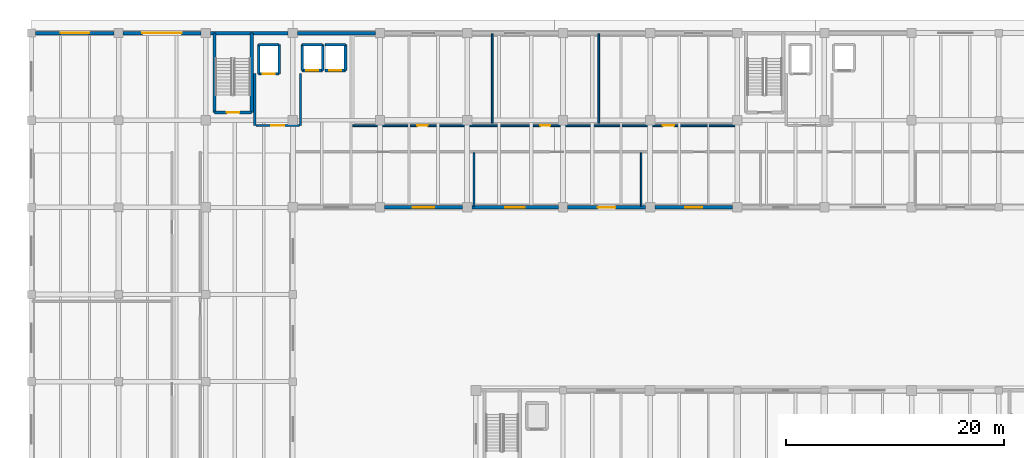
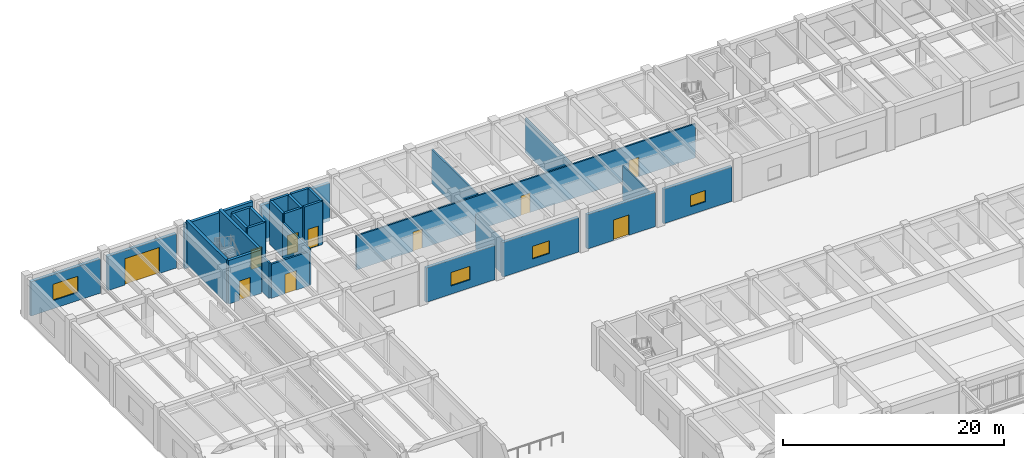
# One storey, part 39 of 64: 30 walls, 10 doors, 4 windows, 14 openings.
"""IFC4 building model written with IfcOpenShell, lengths in metres."""

from ifc_helpers import new_model, si_unit, direction, frame, frame_2d, origin, place, context, subcontext, project, spatial, rectangle, extrude, material, layer, layer_set, type_object, element, fill, save


model = new_model("IFC4")

# Units and contexts
model_context = context("Model", 3, precision=1e-05, world=origin(), true_north=direction((0.0, 1.0)))
body_context = subcontext(model_context, "Body", "Model", "MODEL_VIEW")
ifc_project = project(units=[si_unit("LENGTHUNIT", "METRE"), si_unit("AREAUNIT", "SQUARE_METRE"), si_unit("VOLUMEUNIT", "CUBIC_METRE"), si_unit("PLANEANGLEUNIT", "RADIAN"), si_unit("MASSUNIT", "GRAM", prefix="KILO")], contexts=[model_context])

# Site, building, storey
site_placement = place(None, origin())
site = spatial("IfcSite", under=ifc_project, at=site_placement, CompositionType="ELEMENT")
building_placement = place(site_placement, origin())
building = spatial("IfcBuilding", under=site, at=building_placement, Name="Tlaxcora Railside Police Headquarters", CompositionType="ELEMENT")
storey_placement = place(building_placement, origin())
storey = spatial("IfcBuildingStorey", under=building, at=storey_placement, Name="L00", CompositionType="ELEMENT", Elevation=0.0)

# Wall, opening, door
ifc_material_1 = material(Name="Pressed clay brick masonry", Category="masonry")
ifc_layer_1 = layer(ifc_material_1, 0.199951171875, Name="Pressed clay brick masonry")
ifc_layer_set_1 = layer_set([ifc_layer_1], Name="Pressed clay brick masonry")
wall_type_1 = type_object("IfcWallType", Name="Interior Partition Wall IW-60", PredefinedType="PARTITIONING", material=ifc_layer_set_1)
wall_1_placement = place(storey_placement, frame((25.800048828125, 84.300048828125, 0.0), z_axis=(0.0, 0.0, 1.0), x_axis=(1.0, 0.0, 0.0)))
wall_1 = element("IfcWall", 1, at=wall_1_placement, inside=storey, type_object=wall_type_1, Name="V5 L00 interior partition 21", PredefinedType="PARTITIONING", context=body_context, shape_type="SweptSolid", body=[
    extrude(rectangle(XDim=4.0, YDim=0.199951171875, at=frame_2d((2.0, 0.0))), origin(), (0.0, 0.0, 1.0), 3.764892578125),
])
opening_1_placement = place(wall_1_placement, frame((1.39990234375, 0.0, 0.0)))
opening_1 = element("IfcOpeningElement", 2, at=opening_1_placement, cuts=wall_1, Name="Opening D-L00-077", PredefinedType="OPENING", context=body_context, shape_type="SweptSolid", body=[
    extrude(rectangle(XDim=1.199951171875, YDim=2.14990234375, at=frame_2d((0.60009765625, 1.074951171875))), frame((0.0, 0.10986328125, 0.0), z_axis=(0.0, -1.0, 0.0), x_axis=(1.0, 0.0, 0.0)), (0.0, 0.0, 1.0), 0.219970703125),
])
ifc_material_2 = material(Name="Steel ASTM A992 Grade 50", Category="steel")
door_type_1 = type_object("IfcDoorType", Name="Swing or Sliding Personnel Door ID-14", OperationType="NOTDEFINED", PredefinedType="DOOR", material=ifc_material_2)
door_1_placement = place(opening_1_placement, origin())
door_1 = element("IfcDoor", 3, at=door_1_placement, inside=storey, type_object=door_type_1, Name="V5 L00 door D-L00-077", OperationType="DOUBLE_DOOR_SINGLE_SWING", OverallHeight=2.14990234375, OverallWidth=1.199951171875, PredefinedType="DOOR", context=body_context, shape_type="SweptSolid", body=[
    extrude(rectangle(XDim=1.199951171875, YDim=2.14990234375, at=frame_2d((0.60009765625, 1.074951171875))), frame((0.0, 0.02490234375, 0.0), z_axis=(0.0, -1.0, 0.0), x_axis=(1.0, 0.0, 0.0)), (0.0, 0.0, 1.0), 0.050048828125),
])
fill(opening_1, door_1)

# Walls
wall_2_placement = place(storey_placement, frame((25.699951171875, 84.300048828125, 0.0), z_axis=(0.0, 0.0, 1.0), x_axis=(0.0, 1.0, 0.0)))
element("IfcWall", 4, at=wall_2_placement, inside=storey, type_object=wall_type_1, Name="V5 L00 interior partition 22", PredefinedType="PARTITIONING", context=body_context, shape_type="SweptSolid", body=[
    extrude(rectangle(XDim=4.800048828125, YDim=0.199951171875, at=frame_2d((2.39990234375, 0.0))), origin(), (0.0, 0.0, 1.0), 3.9150390625),
])
wall_3_placement = place(storey_placement, frame((29.89990234375, 84.300048828125, 0.0), z_axis=(0.0, 0.0, 1.0), x_axis=(0.0, 1.0, 0.0)))
element("IfcWall", 5, at=wall_3_placement, inside=storey, type_object=wall_type_1, Name="V5 L00 interior partition 23", PredefinedType="PARTITIONING", context=body_context, shape_type="SweptSolid", body=[
    extrude(rectangle(XDim=4.800048828125, YDim=0.199951171875, at=frame_2d((2.39990234375, 0.0))), origin(), (0.0, 0.0, 1.0), 3.965087890625),
])
ifc_material_3 = material(Name="Gypsum acoustic partition board")
ifc_layer_2 = layer(ifc_material_3, 0.159912109375, Name="Gypsum acoustic partition board")
ifc_layer_set_2 = layer_set([ifc_layer_2], Name="Gypsum acoustic partition board")
wall_type_2 = type_object("IfcWallType", Name="Interior Partition Wall IW-73", PredefinedType="PARTITIONING", material=ifc_layer_set_2)
for number, where, z_axis, x_axis, name in (
    (6, (47.510986328125, 84.5, 0.0), (0.0, 0.0, 1.0), (0.0, 1.0, 0.0), "V5 L00 interior partition 62"),
    (7, (57.2890625, 84.5, 0.0), (0.0, 0.0, 1.0), (0.0, 1.0, 0.0), "V5 L00 interior partition 63"),
):
    element("IfcWall", number, at=place(storey_placement, frame(where, z_axis=z_axis, x_axis=x_axis)), inside=storey, type_object=wall_type_2, Name=name, PredefinedType="PARTITIONING", context=body_context, shape_type="SweptSolid", body=[
        extrude(rectangle(XDim=8.219970703125, YDim=0.159912109375, at=frame_2d((4.10986328125, 0.0))), origin(), (0.0, 0.0, 1.0), 3.764892578125),
    ])

# Wall, openings, doors
wall_4_placement = place(storey_placement, frame((34.699951171875, 84.300048828125, 0.0), z_axis=(0.0, 0.0, 1.0), x_axis=(1.0, 0.0, 0.0)))
wall_4 = element("IfcWall", 8, at=wall_4_placement, inside=storey, type_object=wall_type_2, Name="V5 L00 interior partition 64", PredefinedType="PARTITIONING", context=body_context, shape_type="SweptSolid", body=[
    extrude(rectangle(XDim=35.400146484375, YDim=0.159912109375, at=frame_2d((17.7001953125, 0.0))), origin(), (0.0, 0.0, 1.0), 3.764892578125),
])
opening_2_placement = place(wall_4_placement, frame((5.919921875, 0.0, 0.0)))
opening_2 = element("IfcOpeningElement", 9, at=opening_2_placement, cuts=wall_4, Name="Opening D-L00-112", PredefinedType="OPENING", context=body_context, shape_type="SweptSolid", body=[
    extrude(rectangle(XDim=0.97998046875, YDim=2.1201171875, at=frame_2d((0.489990234375, 1.06005859375))), frame((0.0, 0.08984375, 0.0), z_axis=(0.0, -1.0, 0.0), x_axis=(1.0, 0.0, 0.0)), (0.0, 0.0, 1.0), 0.179931640625),
])
opening_3_placement = place(wall_4_placement, frame((17.199951171875, 0.0, 0.0)))
opening_3 = element("IfcOpeningElement", 10, at=opening_3_placement, cuts=wall_4, Name="Opening D-L00-113", PredefinedType="OPENING", context=body_context, shape_type="SweptSolid", body=[
    extrude(rectangle(XDim=0.949951171875, YDim=2.14990234375, at=frame_2d((0.47509765625, 1.074951171875))), frame((0.0, 0.08984375, 0.0), z_axis=(0.0, -1.0, 0.0), x_axis=(1.0, 0.0, 0.0)), (0.0, 0.0, 1.0), 0.179931640625),
])
opening_4_placement = place(wall_4_placement, frame((28.47998046875, 0.0, 0.0)))
opening_4 = element("IfcOpeningElement", 11, at=opening_4_placement, cuts=wall_4, Name="Opening D-L00-114", PredefinedType="OPENING", context=body_context, shape_type="SweptSolid", body=[
    extrude(rectangle(XDim=1.02001953125, YDim=2.1201171875, at=frame_2d((0.510009765625, 1.06005859375))), frame((0.0, 0.08984375, 0.0), z_axis=(0.0, -1.0, 0.0), x_axis=(1.0, 0.0, 0.0)), (0.0, 0.0, 1.0), 0.179931640625),
])
door_type_2 = type_object("IfcDoorType", Name="Swing or Sliding Personnel Door ID-31", OperationType="NOTDEFINED", PredefinedType="DOOR", material=ifc_material_2)
door_2_placement = place(opening_3_placement, origin())
door_2 = element("IfcDoor", 12, at=door_2_placement, inside=storey, type_object=door_type_2, Name="V5 L00 door D-L00-113", OperationType="SINGLE_SWING_RIGHT", OverallHeight=2.14990234375, OverallWidth=0.949951171875, PredefinedType="DOOR", context=body_context, shape_type="SweptSolid", body=[
    extrude(rectangle(XDim=0.949951171875, YDim=2.14990234375, at=frame_2d((0.47509765625, 1.074951171875))), frame((0.0, 0.02490234375, 0.0), z_axis=(0.0, -1.0, 0.0), x_axis=(1.0, 0.0, 0.0)), (0.0, 0.0, 1.0), 0.050048828125),
])
fill(opening_3, door_2)
door_type_3 = type_object("IfcDoorType", Name="Swing or Sliding Personnel Door ID-48", OperationType="NOTDEFINED", PredefinedType="DOOR", material=ifc_material_2)
door_3_placement = place(opening_4_placement, origin())
door_3 = element("IfcDoor", 13, at=door_3_placement, inside=storey, type_object=door_type_3, Name="V5 L00 door D-L00-114", OperationType="SINGLE_SWING_LEFT", OverallHeight=2.1201171875, OverallWidth=1.02001953125, PredefinedType="DOOR", context=body_context, shape_type="SweptSolid", body=[
    extrude(rectangle(XDim=1.02001953125, YDim=2.1201171875, at=frame_2d((0.510009765625, 1.06005859375))), frame((0.0, 0.02490234375, 0.0), z_axis=(0.0, -1.0, 0.0), x_axis=(1.0, 0.0, 0.0)), (0.0, 0.0, 1.0), 0.050048828125),
])
fill(opening_4, door_3)
door_type_4 = type_object("IfcDoorType", Name="Swing or Sliding Personnel Door ID-74", OperationType="NOTDEFINED", PredefinedType="DOOR", material=ifc_material_2)
door_4_placement = place(opening_2_placement, origin())
door_4 = element("IfcDoor", 14, at=door_4_placement, inside=storey, type_object=door_type_4, Name="V5 L00 door D-L00-112", OperationType="SINGLE_SWING_LEFT", OverallHeight=2.1201171875, OverallWidth=0.97998046875, PredefinedType="DOOR", context=body_context, shape_type="SweptSolid", body=[
    extrude(rectangle(XDim=0.97998046875, YDim=2.1201171875, at=frame_2d((0.489990234375, 1.06005859375))), frame((0.0, 0.02490234375, 0.0), z_axis=(0.0, -1.0, 0.0), x_axis=(1.0, 0.0, 0.0)), (0.0, 0.0, 1.0), 0.050048828125),
])
fill(opening_2, door_4)

# Walls
ifc_layer_3 = layer(ifc_material_3, 0.139892578125, Name="Gypsum acoustic partition board")
ifc_layer_set_3 = layer_set([ifc_layer_3], Name="Gypsum acoustic partition board")
wall_type_3 = type_object("IfcWallType", Name="Interior Partition Wall IW-86", PredefinedType="PARTITIONING", material=ifc_layer_set_3)
wall_5_placement = place(storey_placement, frame((61.16796875, 76.8798828125, 0.0), z_axis=(0.0, 0.0, 1.0), x_axis=(0.0, 1.0, 0.0)))
element("IfcWall", 15, at=wall_5_placement, inside=storey, type_object=wall_type_3, Name="V5 L00 interior partition 58", PredefinedType="PARTITIONING", context=body_context, shape_type="SweptSolid", body=[
    extrude(rectangle(XDim=4.920166015625, YDim=0.139892578125, at=frame_2d((2.4599609375, 0.0))), origin(), (0.0, 0.0, 1.0), 3.764892578125),
])
ifc_layer_4 = layer(ifc_material_3, 0.14990234375, Name="Gypsum acoustic partition board")
ifc_layer_set_4 = layer_set([ifc_layer_4], Name="Gypsum acoustic partition board")
wall_type_4 = type_object("IfcWallType", Name="Interior Partition Wall IW-91", PredefinedType="PARTITIONING", material=ifc_layer_set_4)
wall_6_placement = place(storey_placement, frame((45.83203125, 76.8798828125, 0.0), z_axis=(0.0, 0.0, 1.0), x_axis=(0.0, 1.0, 0.0)))
element("IfcWall", 16, at=wall_6_placement, inside=storey, type_object=wall_type_4, Name="V5 L00 interior partition 57", PredefinedType="PARTITIONING", context=body_context, shape_type="SweptSolid", body=[
    extrude(rectangle(XDim=4.920166015625, YDim=0.14990234375, at=frame_2d((2.4599609375, 0.0))), origin(), (0.0, 0.0, 1.0), 3.764892578125),
])

# Wall, opening, door
ifc_material_4 = material(Name="Concrete C40/50", Category="concrete")
ifc_layer_5 = layer(ifc_material_4, 0.25, Name="Concrete C40/50")
ifc_layer_set_5 = layer_set([ifc_layer_5], Name="Concrete C40/50")
wall_type_5 = type_object("IfcWallType", Name="Shear Core Wall IW-13", PredefinedType="SHEAR", material=ifc_layer_set_5)
wall_7_placement = place(storey_placement, frame((26.06005859375, 89.06005859375, 0.0), z_axis=(0.0, 0.0, 1.0), x_axis=(1.0, 0.0, 0.0)))
wall_7 = element("IfcWall", 17, at=wall_7_placement, inside=storey, type_object=wall_type_5, Name="Lift FFL-01 L00 shaft wall S", PredefinedType="SHEAR", context=body_context, shape_type="SweptSolid", body=[
    extrude(rectangle(XDim=1.8798828125, YDim=0.25, at=frame_2d((0.93994140625, 0.0))), origin(), (0.0, 0.0, 1.0), 4.800048828125),
])
opening_5_placement = place(wall_7_placement, frame((0.389892578125, 0.0, 0.0)))
opening_5 = element("IfcOpeningElement", 18, at=opening_5_placement, cuts=wall_7, Name="Opening LD-FFL-01-L00", PredefinedType="OPENING", context=body_context, shape_type="SweptSolid", body=[
    extrude(rectangle(XDim=1.10009765625, YDim=2.199951171875, at=frame_2d((0.550048828125, 1.10009765625))), frame((0.0, 0.135009765625, 0.0), z_axis=(0.0, -1.0, 0.0), x_axis=(1.0, 0.0, 0.0)), (0.0, 0.0, 1.0), 0.27001953125),
])
door_type_5 = type_object("IfcDoorType", Name="Swing or Sliding Personnel Door ID-15", OperationType="NOTDEFINED", PredefinedType="DOOR", material=ifc_material_2)
door_5_placement = place(opening_5_placement, origin())
door_5 = element("IfcDoor", 19, at=door_5_placement, inside=storey, type_object=door_type_5, Name="Lift FFL-01 L00 sliding landing door", OperationType="DOUBLE_DOOR_SLIDING", OverallHeight=2.199951171875, OverallWidth=1.10009765625, PredefinedType="DOOR", context=body_context, shape_type="SweptSolid", body=[
    extrude(rectangle(XDim=1.10009765625, YDim=2.199951171875, at=frame_2d((0.550048828125, 1.10009765625))), frame((0.0, 0.02490234375, 0.0), z_axis=(0.0, -1.0, 0.0), x_axis=(1.0, 0.0, 0.0)), (0.0, 0.0, 1.0), 0.050048828125),
])
fill(opening_5, door_5)

# Walls
wall_8_placement = place(storey_placement, frame((27.93994140625, 89.06005859375, 0.0), z_axis=(0.0, 0.0, 1.0), x_axis=(0.0, 1.0, 0.0)))
element("IfcWall", 20, at=wall_8_placement, inside=storey, type_object=wall_type_5, Name="Lift FFL-01 L00 shaft wall E", PredefinedType="SHEAR", context=body_context, shape_type="SweptSolid", body=[
    extrude(rectangle(XDim=2.679931640625, YDim=0.25, at=frame_2d((1.33984375, 0.0))), origin(), (0.0, 0.0, 1.0), 4.800048828125),
])
wall_9_placement = place(storey_placement, frame((27.93994140625, 91.739990234375, 0.0), z_axis=(0.0, 0.0, 1.0), x_axis=(-1.0, 0.0, 0.0)))
element("IfcWall", 21, at=wall_9_placement, inside=storey, type_object=wall_type_5, Name="Lift FFL-01 L00 shaft wall N", PredefinedType="SHEAR", context=body_context, shape_type="SweptSolid", body=[
    extrude(rectangle(XDim=1.8798828125, YDim=0.25, at=frame_2d((0.93994140625, 0.0))), origin(), (0.0, 0.0, 1.0), 4.800048828125),
])
wall_10_placement = place(storey_placement, frame((26.06005859375, 91.739990234375, 0.0), z_axis=(0.0, 0.0, 1.0), x_axis=(0.0, -1.0, 0.0)))
element("IfcWall", 22, at=wall_10_placement, inside=storey, type_object=wall_type_5, Name="Lift FFL-01 L00 shaft wall W", PredefinedType="SHEAR", context=body_context, shape_type="SweptSolid", body=[
    extrude(rectangle(XDim=2.679931640625, YDim=0.25, at=frame_2d((1.33984375, 0.0))), origin(), (0.0, 0.0, 1.0), 4.800048828125),
])

# Wall, opening, door
wall_11_placement = place(storey_placement, frame((30.06005859375, 89.360107421875, 0.0), z_axis=(0.0, 0.0, 1.0), x_axis=(1.0, 0.0, 0.0)))
wall_11 = element("IfcWall", 23, at=wall_11_placement, inside=storey, type_object=wall_type_5, Name="Lift PL-01 L00 shaft wall S", PredefinedType="SHEAR", context=body_context, shape_type="SweptSolid", body=[
    extrude(rectangle(XDim=1.8798828125, YDim=0.25, at=frame_2d((0.93994140625, 0.0))), origin(), (0.0, 0.0, 1.0), 4.800048828125),
])
opening_6_placement = place(wall_11_placement, frame((0.389892578125, 0.0, 0.0)))
opening_6 = element("IfcOpeningElement", 24, at=opening_6_placement, cuts=wall_11, Name="Opening LD-PL-01-L00", PredefinedType="OPENING", context=body_context, shape_type="SweptSolid", body=[
    extrude(rectangle(XDim=1.10009765625, YDim=2.199951171875, at=frame_2d((0.550048828125, 1.10009765625))), frame((0.0, 0.135009765625, 0.0), z_axis=(0.0, -1.0, 0.0), x_axis=(1.0, 0.0, 0.0)), (0.0, 0.0, 1.0), 0.27001953125),
])
door_6_placement = place(opening_6_placement, origin())
door_6 = element("IfcDoor", 25, at=door_6_placement, inside=storey, type_object=door_type_5, Name="Lift PL-01 L00 sliding landing door", OperationType="DOUBLE_DOOR_SLIDING", OverallHeight=2.199951171875, OverallWidth=1.10009765625, PredefinedType="DOOR", context=body_context, shape_type="SweptSolid", body=[
    extrude(rectangle(XDim=1.10009765625, YDim=2.199951171875, at=frame_2d((0.550048828125, 1.10009765625))), frame((0.0, 0.02490234375, 0.0), z_axis=(0.0, -1.0, 0.0), x_axis=(1.0, 0.0, 0.0)), (0.0, 0.0, 1.0), 0.050048828125),
])
fill(opening_6, door_6)

# Walls
wall_12_placement = place(storey_placement, frame((31.93994140625, 89.360107421875, 0.0), z_axis=(0.0, 0.0, 1.0), x_axis=(0.0, 1.0, 0.0)))
element("IfcWall", 26, at=wall_12_placement, inside=storey, type_object=wall_type_5, Name="Lift PL-01 L00 shaft wall E", PredefinedType="SHEAR", context=body_context, shape_type="SweptSolid", body=[
    extrude(rectangle(XDim=2.3798828125, YDim=0.25, at=frame_2d((1.18994140625, 0.0))), origin(), (0.0, 0.0, 1.0), 4.800048828125),
])
wall_13_placement = place(storey_placement, frame((31.93994140625, 91.739990234375, 0.0), z_axis=(0.0, 0.0, 1.0), x_axis=(-1.0, 0.0, 0.0)))
element("IfcWall", 27, at=wall_13_placement, inside=storey, type_object=wall_type_5, Name="Lift PL-01 L00 shaft wall N", PredefinedType="SHEAR", context=body_context, shape_type="SweptSolid", body=[
    extrude(rectangle(XDim=1.8798828125, YDim=0.25, at=frame_2d((0.93994140625, 0.0))), origin(), (0.0, 0.0, 1.0), 4.800048828125),
])
wall_14_placement = place(storey_placement, frame((30.06005859375, 91.739990234375, 0.0), z_axis=(0.0, 0.0, 1.0), x_axis=(0.0, -1.0, 0.0)))
element("IfcWall", 28, at=wall_14_placement, inside=storey, type_object=wall_type_5, Name="Lift PL-01 L00 shaft wall W", PredefinedType="SHEAR", context=body_context, shape_type="SweptSolid", body=[
    extrude(rectangle(XDim=2.3798828125, YDim=0.25, at=frame_2d((1.18994140625, 0.0))), origin(), (0.0, 0.0, 1.0), 4.800048828125),
])

# Wall, opening, door
wall_15_placement = place(storey_placement, frame((32.159912109375, 89.360107421875, 0.0), z_axis=(0.0, 0.0, 1.0), x_axis=(1.0, 0.0, 0.0)))
wall_15 = element("IfcWall", 29, at=wall_15_placement, inside=storey, type_object=wall_type_5, Name="Lift PL-02 L00 shaft wall S", PredefinedType="SHEAR", context=body_context, shape_type="SweptSolid", body=[
    extrude(rectangle(XDim=1.880126953125, YDim=0.25, at=frame_2d((0.93994140625, 0.0))), origin(), (0.0, 0.0, 1.0), 4.800048828125),
])
opening_7_placement = place(wall_15_placement, frame((0.389892578125, 0.0, 0.0)))
opening_7 = element("IfcOpeningElement", 30, at=opening_7_placement, cuts=wall_15, Name="Opening LD-PL-02-L00", PredefinedType="OPENING", context=body_context, shape_type="SweptSolid", body=[
    extrude(rectangle(XDim=1.10009765625, YDim=2.199951171875, at=frame_2d((0.550048828125, 1.10009765625))), frame((0.0, 0.135009765625, 0.0), z_axis=(0.0, -1.0, 0.0), x_axis=(1.0, 0.0, 0.0)), (0.0, 0.0, 1.0), 0.27001953125),
])
door_7_placement = place(opening_7_placement, origin())
door_7 = element("IfcDoor", 31, at=door_7_placement, inside=storey, type_object=door_type_5, Name="Lift PL-02 L00 sliding landing door", OperationType="DOUBLE_DOOR_SLIDING", OverallHeight=2.199951171875, OverallWidth=1.10009765625, PredefinedType="DOOR", context=body_context, shape_type="SweptSolid", body=[
    extrude(rectangle(XDim=1.10009765625, YDim=2.199951171875, at=frame_2d((0.550048828125, 1.10009765625))), frame((0.0, 0.02490234375, 0.0), z_axis=(0.0, -1.0, 0.0), x_axis=(1.0, 0.0, 0.0)), (0.0, 0.0, 1.0), 0.050048828125),
])
fill(opening_7, door_7)

# Walls
wall_16_placement = place(storey_placement, frame((34.0400390625, 89.360107421875, 0.0), z_axis=(0.0, 0.0, 1.0), x_axis=(0.0, 1.0, 0.0)))
element("IfcWall", 32, at=wall_16_placement, inside=storey, type_object=wall_type_5, Name="Lift PL-02 L00 shaft wall E", PredefinedType="SHEAR", context=body_context, shape_type="SweptSolid", body=[
    extrude(rectangle(XDim=2.3798828125, YDim=0.25, at=frame_2d((1.18994140625, 0.0))), origin(), (0.0, 0.0, 1.0), 4.800048828125),
])
wall_17_placement = place(storey_placement, frame((34.0400390625, 91.739990234375, 0.0), z_axis=(0.0, 0.0, 1.0), x_axis=(-1.0, 0.0, 0.0)))
element("IfcWall", 33, at=wall_17_placement, inside=storey, type_object=wall_type_5, Name="Lift PL-02 L00 shaft wall N", PredefinedType="SHEAR", context=body_context, shape_type="SweptSolid", body=[
    extrude(rectangle(XDim=1.880126953125, YDim=0.25, at=frame_2d((0.93994140625, 0.0))), origin(), (0.0, 0.0, 1.0), 4.800048828125),
])

# Wall, opening, door
ifc_layer_6 = layer(ifc_material_4, 0.300048828125, Name="Concrete C40/50")
ifc_layer_set_6 = layer_set([ifc_layer_6], Name="Concrete C40/50")
wall_type_6 = type_object("IfcWallType", Name="Shear Core Wall IW-28", PredefinedType="SHEAR", material=ifc_layer_set_6)
wall_18_placement = place(storey_placement, frame((22.0, 85.5, 0.0), z_axis=(0.0, 0.0, 1.0), x_axis=(1.0, 0.0, 0.0)))
wall_18 = element("IfcWall", 34, at=wall_18_placement, inside=storey, type_object=wall_type_6, Name="CORE-C1 L00 stair core wall S", PredefinedType="SHEAR", context=body_context, shape_type="SweptSolid", body=[
    extrude(rectangle(XDim=3.419921875, YDim=0.300048828125, at=frame_2d((1.7099609375, 0.0))), origin(), (0.0, 0.0, 1.0), 4.800048828125),
])
opening_8_placement = place(wall_18_placement, frame((1.135009765625, 0.0, 0.0)))
opening_8 = element("IfcOpeningElement", 35, at=opening_8_placement, cuts=wall_18, Name="Opening SD-L00-002", PredefinedType="OPENING", context=body_context, shape_type="SweptSolid", body=[
    extrude(rectangle(XDim=1.14990234375, YDim=2.14990234375, at=frame_2d((0.574951171875, 1.074951171875))), frame((0.0, 0.16015625, 0.0), z_axis=(0.0, -1.0, 0.0), x_axis=(1.0, 0.0, 0.0)), (0.0, 0.0, 1.0), 0.320068359375),
])
door_type_6 = type_object("IfcDoorType", Name="Swing or Sliding Personnel Door ID-73", OperationType="NOTDEFINED", PredefinedType="DOOR", material=ifc_material_2)
door_8_placement = place(opening_8_placement, origin())
door_8 = element("IfcDoor", 36, at=door_8_placement, inside=storey, type_object=door_type_6, Name="Stair ST1 L00 enclosure fire door", OperationType="SINGLE_SWING_RIGHT", OverallHeight=2.14990234375, OverallWidth=1.14990234375, PredefinedType="DOOR", context=body_context, shape_type="SweptSolid", body=[
    extrude(rectangle(XDim=1.14990234375, YDim=2.14990234375, at=frame_2d((0.574951171875, 1.074951171875))), frame((0.0, 0.02490234375, 0.0), z_axis=(0.0, -1.0, 0.0), x_axis=(1.0, 0.0, 0.0)), (0.0, 0.0, 1.0), 0.050048828125),
])
fill(opening_8, door_8)

# Walls
for number, where, z_axis, x_axis, name in (
    (37, (25.419921875, 85.5, 0.0), (0.0, 0.0, 1.0), (0.0, 1.0, 0.0), "CORE-C1 L00 stair core wall E"),
    (38, (22.0, 92.800048828125, 0.0), (0.0, 0.0, 1.0), (0.0, -1.0, 0.0), "CORE-C1 L00 stair core wall W"),
):
    element("IfcWall", number, at=place(storey_placement, frame(where, z_axis=z_axis, x_axis=x_axis)), inside=storey, type_object=wall_type_6, Name=name, PredefinedType="SHEAR", context=body_context, shape_type="SweptSolid", body=[
        extrude(rectangle(XDim=7.300048828125, YDim=0.300048828125, at=frame_2d((3.64990234375, 0.0))), origin(), (0.0, 0.0, 1.0), 4.800048828125),
    ])

# Wall, opening, window
ifc_material_5 = material(Name="Volcanic basalt ashlar masonry", Category="masonry")
ifc_layer_7 = layer(ifc_material_5, 0.31494140625, Name="Volcanic basalt ashlar masonry")
ifc_layer_set_7 = layer_set([ifc_layer_7], Name="Volcanic basalt ashlar masonry")
wall_type_7 = type_object("IfcWallType", Name="Structural Bearing Wall EW-25", PredefinedType="SOLIDWALL", material=ifc_layer_set_7)
wall_19_placement = place(storey_placement, frame((37.625, 76.800048828125, 0.0), z_axis=(0.0, 0.0, 1.0), x_axis=(1.0, 0.0, 0.0)))
wall_19 = element("IfcWall", 39, at=wall_19_placement, inside=storey, type_object=wall_type_7, Name="V5 L00 exterior wall 2.1", PredefinedType="SOLIDWALL", context=body_context, shape_type="SweptSolid", body=[
    extrude(rectangle(XDim=7.14990234375, YDim=0.31494140625, at=frame_2d((3.574951171875, 0.0))), origin(), (0.0, 0.0, 1.0), 3.780029296875),
])
opening_9_placement = place(wall_19_placement, frame((2.574951171875, 0.0, 0.89990234375)))
opening_9 = element("IfcOpeningElement", 40, at=opening_9_placement, cuts=wall_19, Name="Opening WN-42", PredefinedType="OPENING", context=body_context, shape_type="SweptSolid", body=[
    extrude(rectangle(XDim=2.0, YDim=1.5, at=frame_2d((1.0, 0.75))), frame((0.0, 0.16748046875, 0.0), z_axis=(0.0, -1.0, 0.0), x_axis=(1.0, 0.0, 0.0)), (0.0, 0.0, 1.0), 0.3349609375),
])
ifc_material_6 = material(Name="Thermally broken low-E insulated glazing", Category="glass")
window_type_1 = type_object("IfcWindowType", Name="Exterior Framed or Circular Window WN-42", PartitioningType="SINGLE_PANEL", PredefinedType="WINDOW", material=ifc_material_6)
window_1_placement = place(opening_9_placement, origin())
window_1 = element("IfcWindow", 41, at=window_1_placement, inside=storey, type_object=window_type_1, Name="V5 L00 window 96", OverallHeight=1.5, OverallWidth=2.0, PartitioningType="SINGLE_PANEL", PredefinedType="WINDOW", context=body_context, shape_type="SweptSolid", body=[
    extrude(rectangle(XDim=2.0, YDim=1.5, at=frame_2d((1.0, 0.75))), frame((0.0, 0.030029296875, 0.0), z_axis=(0.0, -1.0, 0.0), x_axis=(1.0, 0.0, 0.0)), (0.0, 0.0, 1.0), 0.06005859375),
])
fill(opening_9, window_1)

wall_20_placement = place(storey_placement, frame((45.625, 76.800048828125, 0.0), z_axis=(0.0, 0.0, 1.0), x_axis=(1.0, 0.0, 0.0)))
wall_20 = element("IfcWall", 42, at=wall_20_placement, inside=storey, type_object=wall_type_7, Name="V5 L00 exterior wall 2.2", PredefinedType="SOLIDWALL", context=body_context, shape_type="SweptSolid", body=[
    extrude(rectangle(XDim=7.949951171875, YDim=0.31494140625, at=frame_2d((3.97509765625, 0.0))), origin(), (0.0, 0.0, 1.0), 3.780029296875),
])
opening_10_placement = place(wall_20_placement, frame((3.074951171875, 0.0, 0.89990234375)))
opening_10 = element("IfcOpeningElement", 43, at=opening_10_placement, cuts=wall_20, Name="Opening WN-70", PredefinedType="OPENING", context=body_context, shape_type="SweptSolid", body=[
    extrude(rectangle(XDim=1.800048828125, YDim=1.39990234375, at=frame_2d((0.89990234375, 0.699951171875))), frame((0.0, 0.16748046875, 0.0), z_axis=(0.0, -1.0, 0.0), x_axis=(1.0, 0.0, 0.0)), (0.0, 0.0, 1.0), 0.3349609375),
])
window_type_2 = type_object("IfcWindowType", Name="Exterior Framed or Circular Window WN-70", PartitioningType="SINGLE_PANEL", PredefinedType="WINDOW", material=ifc_material_6)
window_2_placement = place(opening_10_placement, origin())
window_2 = element("IfcWindow", 44, at=window_2_placement, inside=storey, type_object=window_type_2, Name="V5 L00 window 97", OverallHeight=1.39990234375, OverallWidth=1.800048828125, PartitioningType="SINGLE_PANEL", PredefinedType="WINDOW", context=body_context, shape_type="SweptSolid", body=[
    extrude(rectangle(XDim=1.800048828125, YDim=1.39990234375, at=frame_2d((0.89990234375, 0.699951171875))), frame((0.0, 0.030029296875, 0.0), z_axis=(0.0, -1.0, 0.0), x_axis=(1.0, 0.0, 0.0)), (0.0, 0.0, 1.0), 0.06005859375),
])
fill(opening_10, window_2)

# Wall, opening, door
wall_21_placement = place(storey_placement, frame((54.425048828125, 76.800048828125, 0.0), z_axis=(0.0, 0.0, 1.0), x_axis=(1.0, 0.0, 0.0)))
wall_21 = element("IfcWall", 45, at=wall_21_placement, inside=storey, type_object=wall_type_7, Name="V5 L00 exterior wall 2.3", PredefinedType="SOLIDWALL", context=body_context, shape_type="SweptSolid", body=[
    extrude(rectangle(XDim=7.14990234375, YDim=0.31494140625, at=frame_2d((3.574951171875, 0.0))), origin(), (0.0, 0.0, 1.0), 3.780029296875),
])
opening_11_placement = place(wall_21_placement, frame((2.77490234375, 0.0, 0.0)))
opening_11 = element("IfcOpeningElement", 46, at=opening_11_placement, cuts=wall_21, Name="Opening E-06", PredefinedType="OPENING", context=body_context, shape_type="SweptSolid", body=[
    extrude(rectangle(XDim=1.60009765625, YDim=2.25, at=frame_2d((0.800048828125, 1.125))), frame((0.0, 0.16748046875, 0.0), z_axis=(0.0, -1.0, 0.0), x_axis=(1.0, 0.0, 0.0)), (0.0, 0.0, 1.0), 0.3349609375),
])
ifc_material_7 = material(Name="Anodised aluminium framing", Category="aluminium")
door_type_7 = type_object("IfcDoorType", Name="Swing or Sliding Personnel Door ED-85", OperationType="NOTDEFINED", PredefinedType="DOOR", material=ifc_material_7)
door_9_placement = place(opening_11_placement, frame((1.60009765625, 0.0, 0.0), z_axis=(0.0, 0.0, 1.0), x_axis=(-1.0, 0.0, 0.0)))
door_9 = element("IfcDoor", 47, at=door_9_placement, inside=storey, type_object=door_type_7, Name="Operations courtyard entrance E-06", OperationType="DOUBLE_DOOR_SINGLE_SWING", OverallHeight=2.25, OverallWidth=1.60009765625, PredefinedType="DOOR", context=body_context, shape_type="SweptSolid", body=[
    extrude(rectangle(XDim=1.60009765625, YDim=2.25, at=frame_2d((0.800048828125, 1.125))), frame((0.0, 0.02490234375, 0.0), z_axis=(0.0, -1.0, 0.0), x_axis=(1.0, 0.0, 0.0)), (0.0, 0.0, 1.0), 0.050048828125),
])
fill(opening_11, door_9)

# Wall, opening, window
wall_22_placement = place(storey_placement, frame((62.425048828125, 76.800048828125, 0.0), z_axis=(0.0, 0.0, 1.0), x_axis=(1.0, 0.0, 0.0)))
wall_22 = element("IfcWall", 48, at=wall_22_placement, inside=storey, type_object=wall_type_7, Name="V5 L00 exterior wall 2.4", PredefinedType="SOLIDWALL", context=body_context, shape_type="SweptSolid", body=[
    extrude(rectangle(XDim=7.14990234375, YDim=0.31494140625, at=frame_2d((3.574951171875, 0.0))), origin(), (0.0, 0.0, 1.0), 3.780029296875),
])
opening_12_placement = place(wall_22_placement, frame((2.77490234375, 0.0, 0.89990234375)))
opening_12 = element("IfcOpeningElement", 49, at=opening_12_placement, cuts=wall_22, Name="Opening WN-63", PredefinedType="OPENING", context=body_context, shape_type="SweptSolid", body=[
    extrude(rectangle(XDim=1.60009765625, YDim=1.25, at=frame_2d((0.800048828125, 0.625))), frame((0.0, 0.16748046875, 0.0), z_axis=(0.0, -1.0, 0.0), x_axis=(1.0, 0.0, 0.0)), (0.0, 0.0, 1.0), 0.3349609375),
])
window_type_3 = type_object("IfcWindowType", Name="Exterior Framed or Circular Window WN-63", PartitioningType="SINGLE_PANEL", PredefinedType="WINDOW", material=ifc_material_6)
window_3_placement = place(opening_12_placement, origin())
window_3 = element("IfcWindow", 50, at=window_3_placement, inside=storey, type_object=window_type_3, Name="V5 L00 window 98", OverallHeight=1.25, OverallWidth=1.60009765625, PartitioningType="SINGLE_PANEL", PredefinedType="WINDOW", context=body_context, shape_type="SweptSolid", body=[
    extrude(rectangle(XDim=1.60009765625, YDim=1.25, at=frame_2d((0.800048828125, 0.625))), frame((0.0, 0.030029296875, 0.0), z_axis=(0.0, -1.0, 0.0), x_axis=(1.0, 0.0, 0.0)), (0.0, 0.0, 1.0), 0.06005859375),
])
fill(opening_12, window_3)

# Walls
wall_23_placement = place(storey_placement, frame((36.77490234375, 92.800048828125, -0.419921875), z_axis=(0.0, 0.0, 1.0), x_axis=(-1.0, 0.0, 0.0)))
element("IfcWall", 51, at=wall_23_placement, inside=storey, type_object=wall_type_7, Name="V5 L00 exterior wall 4.8", PredefinedType="SOLIDWALL", context=body_context, shape_type="SweptSolid", body=[
    extrude(rectangle(XDim=7.14990234375, YDim=0.31494140625, at=frame_2d((3.574951171875, 0.0))), origin(), (0.0, 0.0, 1.0), 4.199951171875),
])
wall_24_placement = place(storey_placement, frame((28.77490234375, 92.800048828125, -0.419921875), z_axis=(0.0, 0.0, 1.0), x_axis=(-1.0, 0.0, 0.0)))
element("IfcWall", 52, at=wall_24_placement, inside=storey, type_object=wall_type_7, Name="V5 L00 exterior wall 4.9", PredefinedType="SOLIDWALL", context=body_context, shape_type="SweptSolid", body=[
    extrude(rectangle(XDim=7.14990234375, YDim=0.31494140625, at=frame_2d((3.574951171875, 0.0))), origin(), (0.0, 0.0, 1.0), 4.949951171875),
])

# Wall, opening, door
wall_25_placement = place(storey_placement, frame((20.77490234375, 92.800048828125, 0.0), z_axis=(0.0, 0.0, 1.0), x_axis=(-1.0, 0.0, 0.0)))
wall_25 = element("IfcWall", 53, at=wall_25_placement, inside=storey, type_object=wall_type_7, Name="V5 L00 exterior wall 4.10", PredefinedType="SOLIDWALL", context=body_context, shape_type="SweptSolid", body=[
    extrude(rectangle(XDim=7.1748046875, YDim=0.31494140625, at=frame_2d((3.58740234375, 0.0))), origin(), (0.0, 0.0, 1.0), 3.780029296875),
])
opening_13_placement = place(wall_25_placement, frame((1.78759765625, 0.0, 0.0)))
opening_13 = element("IfcOpeningElement", 54, at=opening_13_placement, cuts=wall_25, Name="Opening MG-01", PredefinedType="OPENING", context=body_context, shape_type="SweptSolid", body=[
    extrude(rectangle(XDim=3.60009765625, YDim=2.89990234375, at=frame_2d((1.800048828125, 1.449951171875))), frame((0.0, 0.16748046875, 0.0), z_axis=(0.0, -1.0, 0.0), x_axis=(1.0, 0.0, 0.0)), (0.0, 0.0, 1.0), 0.3349609375),
])
door_type_8 = type_object("IfcDoorType", Name="Vehicle Security Shutter Gate ED-69", OperationType="NOTDEFINED", PredefinedType="GATE", material=ifc_material_2)
door_10_placement = place(opening_13_placement, frame((3.60009765625, 0.0, 0.0), z_axis=(0.0, 0.0, 1.0), x_axis=(-1.0, 0.0, 0.0)))
door_10 = element("IfcDoor", 55, at=door_10_placement, inside=storey, type_object=door_type_8, Name="Service vehicle shutter gate MG-01", OperationType="ROLLINGUP", OverallHeight=2.89990234375, OverallWidth=3.60009765625, PredefinedType="GATE", context=body_context, shape_type="SweptSolid", body=[
    extrude(rectangle(XDim=3.60009765625, YDim=2.89990234375, at=frame_2d((1.800048828125, 1.449951171875))), frame((0.0, 0.02490234375, 0.0), z_axis=(0.0, -1.0, 0.0), x_axis=(1.0, 0.0, 0.0)), (0.0, 0.0, 1.0), 0.050048828125),
])
fill(opening_13, door_10)

# Wall, opening, window
wall_26_placement = place(storey_placement, frame((12.800048828125, 92.800048828125, 0.0), z_axis=(0.0, 0.0, 1.0), x_axis=(-1.0, 0.0, 0.0)))
wall_26 = element("IfcWall", 56, at=wall_26_placement, inside=storey, type_object=wall_type_7, Name="V5 L00 exterior wall 4.11", PredefinedType="SOLIDWALL", context=body_context, shape_type="SweptSolid", body=[
    extrude(rectangle(XDim=7.22509765625, YDim=0.31494140625, at=frame_2d((3.612548828125, 0.0))), origin(), (0.0, 0.0, 1.0), 3.780029296875),
])
opening_14_placement = place(wall_26_placement, frame((2.3125, 0.0, 0.89990234375)))
opening_14 = element("IfcOpeningElement", 57, at=opening_14_placement, cuts=wall_26, Name="Opening WN-71", PredefinedType="OPENING", context=body_context, shape_type="SweptSolid", body=[
    extrude(rectangle(XDim=2.60009765625, YDim=1.800048828125, at=frame_2d((1.300048828125, 0.89990234375))), frame((0.0, 0.16748046875, 0.0), z_axis=(0.0, -1.0, 0.0), x_axis=(1.0, 0.0, 0.0)), (0.0, 0.0, 1.0), 0.3349609375),
])
window_type_4 = type_object("IfcWindowType", Name="Exterior Framed or Circular Window WN-71", PartitioningType="SINGLE_PANEL", PredefinedType="WINDOW", material=ifc_material_6)
window_4_placement = place(opening_14_placement, origin())
window_4 = element("IfcWindow", 58, at=window_4_placement, inside=storey, type_object=window_type_4, Name="V5 L00 window 108", OverallHeight=1.800048828125, OverallWidth=2.60009765625, PartitioningType="SINGLE_PANEL", PredefinedType="WINDOW", context=body_context, shape_type="SweptSolid", body=[
    extrude(rectangle(XDim=2.60009765625, YDim=1.800048828125, at=frame_2d((1.300048828125, 0.89990234375))), frame((0.0, 0.030029296875, 0.0), z_axis=(0.0, -1.0, 0.0), x_axis=(1.0, 0.0, 0.0)), (0.0, 0.0, 1.0), 0.06005859375),
])
fill(opening_14, window_4)

save(model, "model.ifc")
